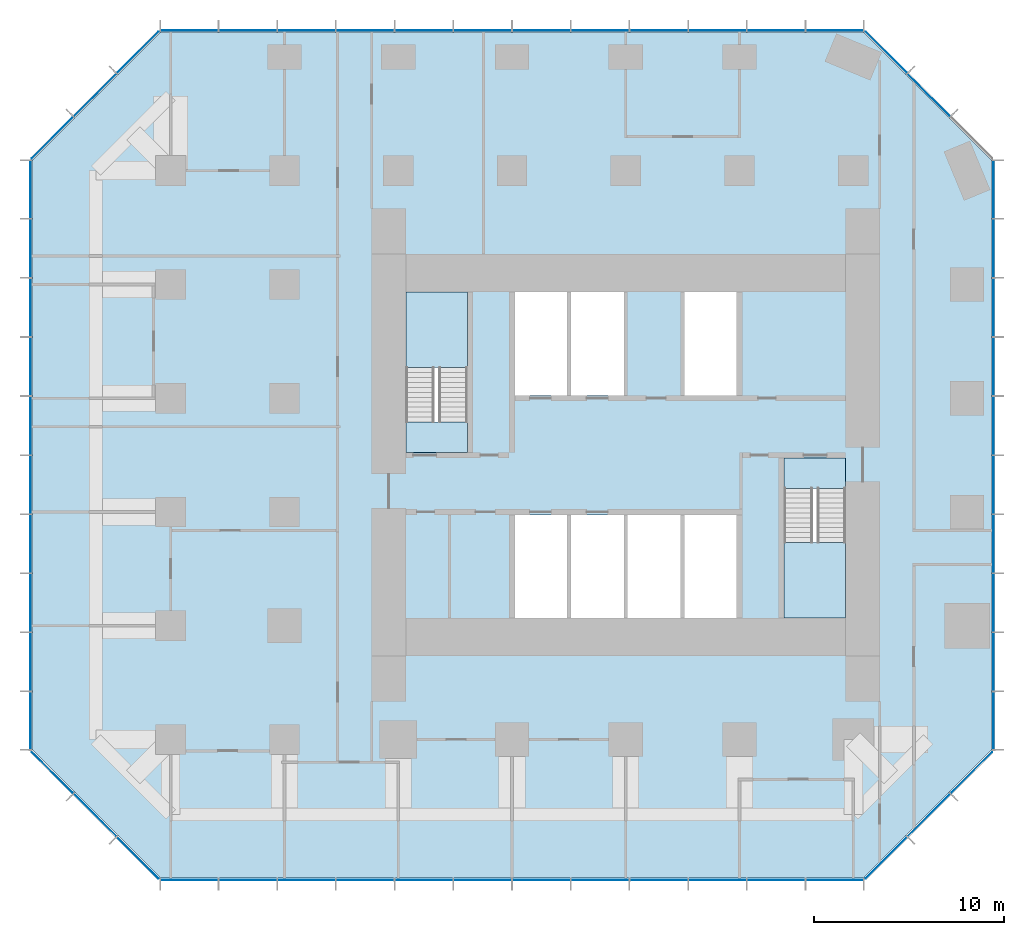
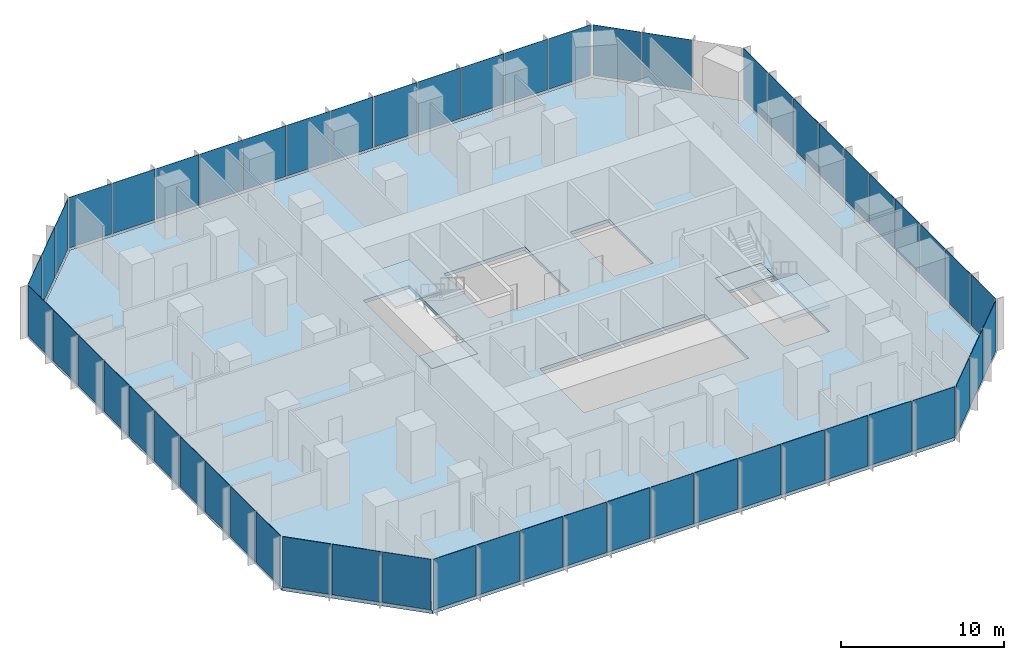
# One storey, part 7 of 11: 55 plates, 5 slabs, 10 elements without a shape of their own.
"""IFC4 building model written with IfcOpenShell, lengths in metres."""

from ifc_helpers import new_model, si_unit, direction, frame, origin, origin_2d, place, context, subcontext, project, spatial, polyline, rectangle, outline, extrude, material, layer, layer_set, type_object, element, aggregate, save


model = new_model("IFC4")

# Units and contexts
model_context = context("Model", 3, precision=1e-05, world=origin(), true_north=direction((0.0, 1.0)))
body_context = subcontext(model_context, "Body", "Model", "MODEL_VIEW")
ifc_project = project(units=[si_unit("LENGTHUNIT", "METRE"), si_unit("AREAUNIT", "SQUARE_METRE"), si_unit("VOLUMEUNIT", "CUBIC_METRE"), si_unit("PLANEANGLEUNIT", "RADIAN"), si_unit("MASSUNIT", "GRAM", prefix="KILO")], contexts=[model_context])

# Site, building, storey
site_placement = place(None, origin())
site = spatial("IfcSite", under=ifc_project, at=site_placement, CompositionType="ELEMENT")
building_placement = place(site_placement, origin())
building = spatial("IfcBuilding", under=site, at=building_placement, Name="Highveld Stack Headquarters", CompositionType="ELEMENT")
storey_placement = place(building_placement, frame((0.0, 0.0, 125.0)))
storey = spatial("IfcBuildingStorey", under=building, at=storey_placement, Name="L30", CompositionType="ELEMENT", Elevation=125.0)

# Curtain wall, plates
ifc_material_1 = material(Name="Aluminium bronze anodised", Category="aluminium")
ifc_layer_1 = layer(ifc_material_1, 0.199951171875)
ifc_layer_set_1 = layer_set([ifc_layer_1], Name="Aluminium bronze anodised")
curtain_wall_type_1 = type_object("IfcCurtainWallType", Name="CW1 TOWER UNITISED CURTAIN WALL", PredefinedType="NOTDEFINED", material=ifc_layer_set_1)
curtain_wall_1_placement = place(storey_placement, origin())
curtain_wall_1 = element("IfcCurtainWall", 1, at=curtain_wall_1_placement, inside=storey, type_object=curtain_wall_type_1, Name="Curtain wall CW1 L30 S", PredefinedType="NOTDEFINED")
ifc_material_2 = material(Name="Glass bronze tinted double glazed unit", Category="glass")
ifc_layer_2 = layer(ifc_material_2, 0.028076171875)
ifc_layer_set_2 = layer_set([ifc_layer_2], Name="Glass bronze tinted double glazed unit")
plate_type_1 = type_object("IfcPlateType", Name="CW1 PANEL BRONZE TINTED DOUBLE GLAZED UNIT", PredefinedType="CURTAIN_PANEL", material=ifc_layer_set_2)
plate_1_placement = place(storey_placement, frame((-17.015380859375, -19.39990234375, 0.10009765625), z_axis=(0.0, 0.0, 1.0), x_axis=(1.0, 0.0, 0.0)))
plate_1 = element("IfcPlate", 2, at=plate_1_placement, type_object=plate_type_1, Name="CW1 panel L30 1.1", PredefinedType="CURTAIN_PANEL", context=body_context, shape_type="SweptSolid", body=[
    extrude(rectangle(XDim=2.9990234375, YDim=0.028076171875, at=origin_2d()), origin(), (0.0, 0.0, 1.0), 3.800048828125),
])
plate_2_placement = place(storey_placement, frame((-13.934814453125, -19.39990234375, 0.10009765625), z_axis=(0.0, 0.0, 1.0), x_axis=(1.0, 0.0, 0.0)))
plate_2 = element("IfcPlate", 3, at=plate_2_placement, type_object=plate_type_1, Name="CW1 panel L30 2.1", PredefinedType="CURTAIN_PANEL", context=body_context, shape_type="SweptSolid", body=[
    extrude(rectangle(XDim=3.031494140625, YDim=0.028076171875, at=origin_2d()), origin(), (0.0, 0.0, 1.0), 3.800048828125),
])
plate_3_placement = place(storey_placement, frame((-10.83837890625, -19.39990234375, 0.10009765625), z_axis=(0.0, 0.0, 1.0), x_axis=(1.0, 0.0, 0.0)))
plate_3 = element("IfcPlate", 4, at=plate_3_placement, type_object=plate_type_1, Name="CW1 panel L30 3.1", PredefinedType="CURTAIN_PANEL", context=body_context, shape_type="SweptSolid", body=[
    extrude(rectangle(XDim=3.031494140625, YDim=0.028076171875, at=origin_2d()), origin(), (0.0, 0.0, 1.0), 3.800048828125),
])
plate_4_placement = place(storey_placement, frame((-7.74169921875, -19.39990234375, 0.10009765625), z_axis=(0.0, 0.0, 1.0), x_axis=(1.0, 0.0, 0.0)))
plate_4 = element("IfcPlate", 5, at=plate_4_placement, type_object=plate_type_1, Name="CW1 panel L30 4.1", PredefinedType="CURTAIN_PANEL", context=body_context, shape_type="SweptSolid", body=[
    extrude(rectangle(XDim=3.031494140625, YDim=0.028076171875, at=origin_2d()), origin(), (0.0, 0.0, 1.0), 3.800048828125),
])
plate_5_placement = place(storey_placement, frame((-4.64501953125, -19.39990234375, 0.10009765625), z_axis=(0.0, 0.0, 1.0), x_axis=(1.0, 0.0, 0.0)))
plate_5 = element("IfcPlate", 6, at=plate_5_placement, type_object=plate_type_1, Name="CW1 panel L30 5.1", PredefinedType="CURTAIN_PANEL", context=body_context, shape_type="SweptSolid", body=[
    extrude(rectangle(XDim=3.031494140625, YDim=0.028076171875, at=origin_2d()), origin(), (0.0, 0.0, 1.0), 3.800048828125),
])
plate_6_placement = place(storey_placement, frame((-1.54833984375, -19.39990234375, 0.10009765625), z_axis=(0.0, 0.0, 1.0), x_axis=(1.0, 0.0, 0.0)))
plate_6 = element("IfcPlate", 7, at=plate_6_placement, type_object=plate_type_1, Name="CW1 panel L30 6.1", PredefinedType="CURTAIN_PANEL", context=body_context, shape_type="SweptSolid", body=[
    extrude(rectangle(XDim=3.031494140625, YDim=0.028076171875, at=origin_2d()), origin(), (0.0, 0.0, 1.0), 3.800048828125),
])
plate_7_placement = place(storey_placement, frame((1.54833984375, -19.39990234375, 0.10009765625), z_axis=(0.0, 0.0, 1.0), x_axis=(1.0, 0.0, 0.0)))
plate_7 = element("IfcPlate", 8, at=plate_7_placement, type_object=plate_type_1, Name="CW1 panel L30 7.1", PredefinedType="CURTAIN_PANEL", context=body_context, shape_type="SweptSolid", body=[
    extrude(rectangle(XDim=3.03173828125, YDim=0.028076171875, at=origin_2d()), origin(), (0.0, 0.0, 1.0), 3.800048828125),
])
plate_8_placement = place(storey_placement, frame((4.64501953125, -19.39990234375, 0.10009765625), z_axis=(0.0, 0.0, 1.0), x_axis=(1.0, 0.0, 0.0)))
plate_8 = element("IfcPlate", 9, at=plate_8_placement, type_object=plate_type_1, Name="CW1 panel L30 8.1", PredefinedType="CURTAIN_PANEL", context=body_context, shape_type="SweptSolid", body=[
    extrude(rectangle(XDim=3.03173828125, YDim=0.028076171875, at=origin_2d()), origin(), (0.0, 0.0, 1.0), 3.800048828125),
])
plate_9_placement = place(storey_placement, frame((7.74169921875, -19.39990234375, 0.10009765625), z_axis=(0.0, 0.0, 1.0), x_axis=(1.0, 0.0, 0.0)))
plate_9 = element("IfcPlate", 10, at=plate_9_placement, type_object=plate_type_1, Name="CW1 panel L30 9.1", PredefinedType="CURTAIN_PANEL", context=body_context, shape_type="SweptSolid", body=[
    extrude(rectangle(XDim=3.03173828125, YDim=0.028076171875, at=origin_2d()), origin(), (0.0, 0.0, 1.0), 3.800048828125),
])
plate_10_placement = place(storey_placement, frame((10.83837890625, -19.39990234375, 0.10009765625), z_axis=(0.0, 0.0, 1.0), x_axis=(1.0, 0.0, 0.0)))
plate_10 = element("IfcPlate", 11, at=plate_10_placement, type_object=plate_type_1, Name="CW1 panel L30 10.1", PredefinedType="CURTAIN_PANEL", context=body_context, shape_type="SweptSolid", body=[
    extrude(rectangle(XDim=3.03173828125, YDim=0.028076171875, at=origin_2d()), origin(), (0.0, 0.0, 1.0), 3.800048828125),
])
plate_11_placement = place(storey_placement, frame((13.934814453125, -19.39990234375, 0.10009765625), z_axis=(0.0, 0.0, 1.0), x_axis=(1.0, 0.0, 0.0)))
plate_11 = element("IfcPlate", 12, at=plate_11_placement, type_object=plate_type_1, Name="CW1 panel L30 11.1", PredefinedType="CURTAIN_PANEL", context=body_context, shape_type="SweptSolid", body=[
    extrude(rectangle(XDim=3.03173828125, YDim=0.028076171875, at=origin_2d()), origin(), (0.0, 0.0, 1.0), 3.800048828125),
])
plate_12_placement = place(storey_placement, frame((17.015380859375, -19.39990234375, 0.10009765625), z_axis=(0.0, 0.0, 1.0), x_axis=(1.0, 0.0, 0.0)))
plate_12 = element("IfcPlate", 13, at=plate_12_placement, type_object=plate_type_1, Name="CW1 panel L30 12.1", PredefinedType="CURTAIN_PANEL", context=body_context, shape_type="SweptSolid", body=[
    extrude(rectangle(XDim=2.999267578125, YDim=0.028076171875, at=origin_2d()), origin(), (0.0, 0.0, 1.0), 3.800048828125),
])
aggregate(curtain_wall_1, [plate_1, plate_2, plate_3, plate_4, plate_5, plate_6, plate_7, plate_8, plate_9, plate_10, plate_11, plate_12])

curtain_wall_2_placement = place(storey_placement, origin())
curtain_wall_2 = element("IfcCurtainWall", 14, at=curtain_wall_2_placement, inside=storey, type_object=curtain_wall_type_1, Name="Curtain wall CW1 L30 E", PredefinedType="NOTDEFINED")
plate_13_placement = place(storey_placement, frame((25.39990234375, -11.005615234375, 0.10009765625), z_axis=(0.0, 0.0, 1.0), x_axis=(0.0, 1.0, 0.0)))
plate_13 = element("IfcPlate", 15, at=plate_13_placement, type_object=plate_type_1, Name="CW1 panel L30 1.1", PredefinedType="CURTAIN_PANEL", context=body_context, shape_type="SweptSolid", body=[
    extrude(rectangle(XDim=3.0185546875, YDim=0.028076171875, at=origin_2d()), origin(), (0.0, 0.0, 1.0), 3.800048828125),
])
plate_14_placement = place(storey_placement, frame((25.39990234375, -7.906005859375, 0.10009765625), z_axis=(0.0, 0.0, 1.0), x_axis=(0.0, 1.0, 0.0)))
plate_14 = element("IfcPlate", 16, at=plate_14_placement, type_object=plate_type_1, Name="CW1 panel L30 2.1", PredefinedType="CURTAIN_PANEL", context=body_context, shape_type="SweptSolid", body=[
    extrude(rectangle(XDim=3.051025390625, YDim=0.028076171875, at=origin_2d()), origin(), (0.0, 0.0, 1.0), 3.800048828125),
])
plate_15_placement = place(storey_placement, frame((25.39990234375, -4.7900390625, 0.10009765625), z_axis=(0.0, 0.0, 1.0), x_axis=(0.0, 1.0, 0.0)))
plate_15 = element("IfcPlate", 17, at=plate_15_placement, type_object=plate_type_1, Name="CW1 panel L30 3.1", PredefinedType="CURTAIN_PANEL", context=body_context, shape_type="SweptSolid", body=[
    extrude(rectangle(XDim=3.051025390625, YDim=0.028076171875, at=origin_2d()), origin(), (0.0, 0.0, 1.0), 3.800048828125),
])
plate_16_placement = place(storey_placement, frame((25.39990234375, -1.674072265625, 0.10009765625), z_axis=(0.0, 0.0, 1.0), x_axis=(0.0, 1.0, 0.0)))
plate_16 = element("IfcPlate", 18, at=plate_16_placement, type_object=plate_type_1, Name="CW1 panel L30 4.1", PredefinedType="CURTAIN_PANEL", context=body_context, shape_type="SweptSolid", body=[
    extrude(rectangle(XDim=3.051025390625, YDim=0.028076171875, at=origin_2d()), origin(), (0.0, 0.0, 1.0), 3.800048828125),
])
plate_17_placement = place(storey_placement, frame((25.39990234375, 1.44189453125, 0.10009765625), z_axis=(0.0, 0.0, 1.0), x_axis=(0.0, 1.0, 0.0)))
plate_17 = element("IfcPlate", 19, at=plate_17_placement, type_object=plate_type_1, Name="CW1 panel L30 5.1", PredefinedType="CURTAIN_PANEL", context=body_context, shape_type="SweptSolid", body=[
    extrude(rectangle(XDim=3.051025390625, YDim=0.028076171875, at=origin_2d()), origin(), (0.0, 0.0, 1.0), 3.800048828125),
])
plate_18_placement = place(storey_placement, frame((25.39990234375, 4.55810546875, 0.10009765625), z_axis=(0.0, 0.0, 1.0), x_axis=(0.0, 1.0, 0.0)))
plate_18 = element("IfcPlate", 20, at=plate_18_placement, type_object=plate_type_1, Name="CW1 panel L30 6.1", PredefinedType="CURTAIN_PANEL", context=body_context, shape_type="SweptSolid", body=[
    extrude(rectangle(XDim=3.051025390625, YDim=0.028076171875, at=origin_2d()), origin(), (0.0, 0.0, 1.0), 3.800048828125),
])
plate_19_placement = place(storey_placement, frame((25.39990234375, 7.674072265625, 0.10009765625), z_axis=(0.0, 0.0, 1.0), x_axis=(0.0, 1.0, 0.0)))
plate_19 = element("IfcPlate", 21, at=plate_19_placement, type_object=plate_type_1, Name="CW1 panel L30 7.1", PredefinedType="CURTAIN_PANEL", context=body_context, shape_type="SweptSolid", body=[
    extrude(rectangle(XDim=3.051025390625, YDim=0.028076171875, at=origin_2d()), origin(), (0.0, 0.0, 1.0), 3.800048828125),
])
plate_20_placement = place(storey_placement, frame((25.39990234375, 10.789794921875, 0.10009765625), z_axis=(0.0, 0.0, 1.0), x_axis=(0.0, 1.0, 0.0)))
plate_20 = element("IfcPlate", 22, at=plate_20_placement, type_object=plate_type_1, Name="CW1 panel L30 8.1", PredefinedType="CURTAIN_PANEL", context=body_context, shape_type="SweptSolid", body=[
    extrude(rectangle(XDim=3.051025390625, YDim=0.028076171875, at=origin_2d()), origin(), (0.0, 0.0, 1.0), 3.800048828125),
])
plate_21_placement = place(storey_placement, frame((25.39990234375, 13.906005859375, 0.10009765625), z_axis=(0.0, 0.0, 1.0), x_axis=(0.0, 1.0, 0.0)))
plate_21 = element("IfcPlate", 23, at=plate_21_placement, type_object=plate_type_1, Name="CW1 panel L30 9.1", PredefinedType="CURTAIN_PANEL", context=body_context, shape_type="SweptSolid", body=[
    extrude(rectangle(XDim=3.051025390625, YDim=0.028076171875, at=origin_2d()), origin(), (0.0, 0.0, 1.0), 3.800048828125),
])
plate_22_placement = place(storey_placement, frame((25.39990234375, 17.005615234375, 0.10009765625), z_axis=(0.0, 0.0, 1.0), x_axis=(0.0, 1.0, 0.0)))
plate_22 = element("IfcPlate", 24, at=plate_22_placement, type_object=plate_type_1, Name="CW1 panel L30 10.1", PredefinedType="CURTAIN_PANEL", context=body_context, shape_type="SweptSolid", body=[
    extrude(rectangle(XDim=3.0185546875, YDim=0.028076171875, at=origin_2d()), origin(), (0.0, 0.0, 1.0), 3.800048828125),
])
aggregate(curtain_wall_2, [plate_13, plate_14, plate_15, plate_16, plate_17, plate_18, plate_19, plate_20, plate_21, plate_22])

curtain_wall_3_placement = place(storey_placement, origin())
curtain_wall_3 = element("IfcCurtainWall", 25, at=curtain_wall_3_placement, inside=storey, type_object=curtain_wall_type_1, Name="Curtain wall CW1 L30 N", PredefinedType="NOTDEFINED")
plate_23_placement = place(storey_placement, frame((17.015380859375, 25.39990234375, 0.10009765625), z_axis=(0.0, 0.0, 1.0), x_axis=(-1.0, 0.0, 0.0)))
plate_23 = element("IfcPlate", 26, at=plate_23_placement, type_object=plate_type_1, Name="CW1 panel L30 1.1", PredefinedType="CURTAIN_PANEL", context=body_context, shape_type="SweptSolid", body=[
    extrude(rectangle(XDim=2.9990234375, YDim=0.028076171875, at=origin_2d()), origin(), (0.0, 0.0, 1.0), 3.800048828125),
])
plate_24_placement = place(storey_placement, frame((13.934814453125, 25.39990234375, 0.10009765625), z_axis=(0.0, 0.0, 1.0), x_axis=(-1.0, 0.0, 0.0)))
plate_24 = element("IfcPlate", 27, at=plate_24_placement, type_object=plate_type_1, Name="CW1 panel L30 2.1", PredefinedType="CURTAIN_PANEL", context=body_context, shape_type="SweptSolid", body=[
    extrude(rectangle(XDim=3.031494140625, YDim=0.028076171875, at=origin_2d()), origin(), (0.0, 0.0, 1.0), 3.800048828125),
])
plate_25_placement = place(storey_placement, frame((10.83837890625, 25.39990234375, 0.10009765625), z_axis=(0.0, 0.0, 1.0), x_axis=(-1.0, 0.0, 0.0)))
plate_25 = element("IfcPlate", 28, at=plate_25_placement, type_object=plate_type_1, Name="CW1 panel L30 3.1", PredefinedType="CURTAIN_PANEL", context=body_context, shape_type="SweptSolid", body=[
    extrude(rectangle(XDim=3.031494140625, YDim=0.028076171875, at=origin_2d()), origin(), (0.0, 0.0, 1.0), 3.800048828125),
])
plate_26_placement = place(storey_placement, frame((7.74169921875, 25.39990234375, 0.10009765625), z_axis=(0.0, 0.0, 1.0), x_axis=(-1.0, 0.0, 0.0)))
plate_26 = element("IfcPlate", 29, at=plate_26_placement, type_object=plate_type_1, Name="CW1 panel L30 4.1", PredefinedType="CURTAIN_PANEL", context=body_context, shape_type="SweptSolid", body=[
    extrude(rectangle(XDim=3.031494140625, YDim=0.028076171875, at=origin_2d()), origin(), (0.0, 0.0, 1.0), 3.800048828125),
])
plate_27_placement = place(storey_placement, frame((4.64501953125, 25.39990234375, 0.10009765625), z_axis=(0.0, 0.0, 1.0), x_axis=(-1.0, 0.0, 0.0)))
plate_27 = element("IfcPlate", 30, at=plate_27_placement, type_object=plate_type_1, Name="CW1 panel L30 5.1", PredefinedType="CURTAIN_PANEL", context=body_context, shape_type="SweptSolid", body=[
    extrude(rectangle(XDim=3.031494140625, YDim=0.028076171875, at=origin_2d()), origin(), (0.0, 0.0, 1.0), 3.800048828125),
])
plate_28_placement = place(storey_placement, frame((1.54833984375, 25.39990234375, 0.10009765625), z_axis=(0.0, 0.0, 1.0), x_axis=(-1.0, 0.0, 0.0)))
plate_28 = element("IfcPlate", 31, at=plate_28_placement, type_object=plate_type_1, Name="CW1 panel L30 6.1", PredefinedType="CURTAIN_PANEL", context=body_context, shape_type="SweptSolid", body=[
    extrude(rectangle(XDim=3.031494140625, YDim=0.028076171875, at=origin_2d()), origin(), (0.0, 0.0, 1.0), 3.800048828125),
])
plate_29_placement = place(storey_placement, frame((-1.54833984375, 25.39990234375, 0.10009765625), z_axis=(0.0, 0.0, 1.0), x_axis=(-1.0, 0.0, 0.0)))
plate_29 = element("IfcPlate", 32, at=plate_29_placement, type_object=plate_type_1, Name="CW1 panel L30 7.1", PredefinedType="CURTAIN_PANEL", context=body_context, shape_type="SweptSolid", body=[
    extrude(rectangle(XDim=3.03173828125, YDim=0.028076171875, at=origin_2d()), origin(), (0.0, 0.0, 1.0), 3.800048828125),
])
plate_30_placement = place(storey_placement, frame((-4.64501953125, 25.39990234375, 0.10009765625), z_axis=(0.0, 0.0, 1.0), x_axis=(-1.0, 0.0, 0.0)))
plate_30 = element("IfcPlate", 33, at=plate_30_placement, type_object=plate_type_1, Name="CW1 panel L30 8.1", PredefinedType="CURTAIN_PANEL", context=body_context, shape_type="SweptSolid", body=[
    extrude(rectangle(XDim=3.03173828125, YDim=0.028076171875, at=origin_2d()), origin(), (0.0, 0.0, 1.0), 3.800048828125),
])
plate_31_placement = place(storey_placement, frame((-7.74169921875, 25.39990234375, 0.10009765625), z_axis=(0.0, 0.0, 1.0), x_axis=(-1.0, 0.0, 0.0)))
plate_31 = element("IfcPlate", 34, at=plate_31_placement, type_object=plate_type_1, Name="CW1 panel L30 9.1", PredefinedType="CURTAIN_PANEL", context=body_context, shape_type="SweptSolid", body=[
    extrude(rectangle(XDim=3.03173828125, YDim=0.028076171875, at=origin_2d()), origin(), (0.0, 0.0, 1.0), 3.800048828125),
])
plate_32_placement = place(storey_placement, frame((-10.83837890625, 25.39990234375, 0.10009765625), z_axis=(0.0, 0.0, 1.0), x_axis=(-1.0, 0.0, 0.0)))
plate_32 = element("IfcPlate", 35, at=plate_32_placement, type_object=plate_type_1, Name="CW1 panel L30 10.1", PredefinedType="CURTAIN_PANEL", context=body_context, shape_type="SweptSolid", body=[
    extrude(rectangle(XDim=3.03173828125, YDim=0.028076171875, at=origin_2d()), origin(), (0.0, 0.0, 1.0), 3.800048828125),
])
plate_33_placement = place(storey_placement, frame((-13.934814453125, 25.39990234375, 0.10009765625), z_axis=(0.0, 0.0, 1.0), x_axis=(-1.0, 0.0, 0.0)))
plate_33 = element("IfcPlate", 36, at=plate_33_placement, type_object=plate_type_1, Name="CW1 panel L30 11.1", PredefinedType="CURTAIN_PANEL", context=body_context, shape_type="SweptSolid", body=[
    extrude(rectangle(XDim=3.03173828125, YDim=0.028076171875, at=origin_2d()), origin(), (0.0, 0.0, 1.0), 3.800048828125),
])
plate_34_placement = place(storey_placement, frame((-17.015380859375, 25.39990234375, 0.10009765625), z_axis=(0.0, 0.0, 1.0), x_axis=(-1.0, 0.0, 0.0)))
plate_34 = element("IfcPlate", 37, at=plate_34_placement, type_object=plate_type_1, Name="CW1 panel L30 12.1", PredefinedType="CURTAIN_PANEL", context=body_context, shape_type="SweptSolid", body=[
    extrude(rectangle(XDim=2.999267578125, YDim=0.028076171875, at=origin_2d()), origin(), (0.0, 0.0, 1.0), 3.800048828125),
])
aggregate(curtain_wall_3, [plate_23, plate_24, plate_25, plate_26, plate_27, plate_28, plate_29, plate_30, plate_31, plate_32, plate_33, plate_34])

curtain_wall_4_placement = place(storey_placement, origin())
curtain_wall_4 = element("IfcCurtainWall", 38, at=curtain_wall_4_placement, inside=storey, type_object=curtain_wall_type_1, Name="Curtain wall CW1 L30 W", PredefinedType="NOTDEFINED")
plate_35_placement = place(storey_placement, frame((-25.39990234375, 17.005615234375, 0.10009765625), z_axis=(0.0, 0.0, 1.0), x_axis=(0.0, -1.0, 0.0)))
plate_35 = element("IfcPlate", 39, at=plate_35_placement, type_object=plate_type_1, Name="CW1 panel L30 1.1", PredefinedType="CURTAIN_PANEL", context=body_context, shape_type="SweptSolid", body=[
    extrude(rectangle(XDim=3.0185546875, YDim=0.028076171875, at=origin_2d()), origin(), (0.0, 0.0, 1.0), 3.800048828125),
])
plate_36_placement = place(storey_placement, frame((-25.39990234375, 13.906005859375, 0.10009765625), z_axis=(0.0, 0.0, 1.0), x_axis=(0.0, -1.0, 0.0)))
plate_36 = element("IfcPlate", 40, at=plate_36_placement, type_object=plate_type_1, Name="CW1 panel L30 2.1", PredefinedType="CURTAIN_PANEL", context=body_context, shape_type="SweptSolid", body=[
    extrude(rectangle(XDim=3.051025390625, YDim=0.028076171875, at=origin_2d()), origin(), (0.0, 0.0, 1.0), 3.800048828125),
])
plate_37_placement = place(storey_placement, frame((-25.39990234375, 10.7900390625, 0.10009765625), z_axis=(0.0, 0.0, 1.0), x_axis=(0.0, -1.0, 0.0)))
plate_37 = element("IfcPlate", 41, at=plate_37_placement, type_object=plate_type_1, Name="CW1 panel L30 3.1", PredefinedType="CURTAIN_PANEL", context=body_context, shape_type="SweptSolid", body=[
    extrude(rectangle(XDim=3.051025390625, YDim=0.028076171875, at=origin_2d()), origin(), (0.0, 0.0, 1.0), 3.800048828125),
])
plate_38_placement = place(storey_placement, frame((-25.39990234375, 7.674072265625, 0.10009765625), z_axis=(0.0, 0.0, 1.0), x_axis=(0.0, -1.0, 0.0)))
plate_38 = element("IfcPlate", 42, at=plate_38_placement, type_object=plate_type_1, Name="CW1 panel L30 4.1", PredefinedType="CURTAIN_PANEL", context=body_context, shape_type="SweptSolid", body=[
    extrude(rectangle(XDim=3.051025390625, YDim=0.028076171875, at=origin_2d()), origin(), (0.0, 0.0, 1.0), 3.800048828125),
])
plate_39_placement = place(storey_placement, frame((-25.39990234375, 4.55810546875, 0.10009765625), z_axis=(0.0, 0.0, 1.0), x_axis=(0.0, -1.0, 0.0)))
plate_39 = element("IfcPlate", 43, at=plate_39_placement, type_object=plate_type_1, Name="CW1 panel L30 5.1", PredefinedType="CURTAIN_PANEL", context=body_context, shape_type="SweptSolid", body=[
    extrude(rectangle(XDim=3.051025390625, YDim=0.028076171875, at=origin_2d()), origin(), (0.0, 0.0, 1.0), 3.800048828125),
])
plate_40_placement = place(storey_placement, frame((-25.39990234375, 1.44189453125, 0.10009765625), z_axis=(0.0, 0.0, 1.0), x_axis=(0.0, -1.0, 0.0)))
plate_40 = element("IfcPlate", 44, at=plate_40_placement, type_object=plate_type_1, Name="CW1 panel L30 6.1", PredefinedType="CURTAIN_PANEL", context=body_context, shape_type="SweptSolid", body=[
    extrude(rectangle(XDim=3.051025390625, YDim=0.028076171875, at=origin_2d()), origin(), (0.0, 0.0, 1.0), 3.800048828125),
])
plate_41_placement = place(storey_placement, frame((-25.39990234375, -1.674072265625, 0.10009765625), z_axis=(0.0, 0.0, 1.0), x_axis=(0.0, -1.0, 0.0)))
plate_41 = element("IfcPlate", 45, at=plate_41_placement, type_object=plate_type_1, Name="CW1 panel L30 7.1", PredefinedType="CURTAIN_PANEL", context=body_context, shape_type="SweptSolid", body=[
    extrude(rectangle(XDim=3.051025390625, YDim=0.028076171875, at=origin_2d()), origin(), (0.0, 0.0, 1.0), 3.800048828125),
])
plate_42_placement = place(storey_placement, frame((-25.39990234375, -4.789794921875, 0.10009765625), z_axis=(0.0, 0.0, 1.0), x_axis=(0.0, -1.0, 0.0)))
plate_42 = element("IfcPlate", 46, at=plate_42_placement, type_object=plate_type_1, Name="CW1 panel L30 8.1", PredefinedType="CURTAIN_PANEL", context=body_context, shape_type="SweptSolid", body=[
    extrude(rectangle(XDim=3.051025390625, YDim=0.028076171875, at=origin_2d()), origin(), (0.0, 0.0, 1.0), 3.800048828125),
])
plate_43_placement = place(storey_placement, frame((-25.39990234375, -7.906005859375, 0.10009765625), z_axis=(0.0, 0.0, 1.0), x_axis=(0.0, -1.0, 0.0)))
plate_43 = element("IfcPlate", 47, at=plate_43_placement, type_object=plate_type_1, Name="CW1 panel L30 9.1", PredefinedType="CURTAIN_PANEL", context=body_context, shape_type="SweptSolid", body=[
    extrude(rectangle(XDim=3.051025390625, YDim=0.028076171875, at=origin_2d()), origin(), (0.0, 0.0, 1.0), 3.800048828125),
])
plate_44_placement = place(storey_placement, frame((-25.39990234375, -11.005615234375, 0.10009765625), z_axis=(0.0, 0.0, 1.0), x_axis=(0.0, -1.0, 0.0)))
plate_44 = element("IfcPlate", 48, at=plate_44_placement, type_object=plate_type_1, Name="CW1 panel L30 10.1", PredefinedType="CURTAIN_PANEL", context=body_context, shape_type="SweptSolid", body=[
    extrude(rectangle(XDim=3.0185546875, YDim=0.028076171875, at=origin_2d()), origin(), (0.0, 0.0, 1.0), 3.800048828125),
])
aggregate(curtain_wall_4, [plate_35, plate_36, plate_37, plate_38, plate_39, plate_40, plate_41, plate_42, plate_43, plate_44])

ifc_material_3 = material(Name="Aluminium bronze anodised", Category="aluminium")
ifc_layer_3 = layer(ifc_material_3, 0.199951171875)
ifc_layer_set_3 = layer_set([ifc_layer_3], Name="Aluminium bronze anodised")
curtain_wall_type_2 = type_object("IfcCurtainWallType", Name="CW2 TOWER CHAMFER UNITISED CURTAIN WALL", PredefinedType="NOTDEFINED", material=ifc_layer_set_3)
curtain_wall_5_placement = place(storey_placement, origin())
curtain_wall_5 = element("IfcCurtainWall", 49, at=curtain_wall_5_placement, inside=storey, type_object=curtain_wall_type_2, Name="Curtain wall CW2 L30 SE", PredefinedType="NOTDEFINED")
ifc_material_4 = material(Name="Glass bronze tinted double glazed unit", Category="glass")
ifc_layer_4 = layer(ifc_material_4, 0.028076171875)
ifc_layer_set_4 = layer_set([ifc_layer_4], Name="Glass bronze tinted double glazed unit")
plate_type_2 = type_object("IfcPlateType", Name="CW2 PANEL BRONZE TINTED DOUBLE GLAZED UNIT", PredefinedType="CURTAIN_PANEL", material=ifc_layer_set_4)
plate_45_placement = place(storey_placement, frame((19.740478515625, -18.239501953125, 0.10009765625), z_axis=(0.0, 0.0, 1.0), x_axis=(0.707106781187, 0.707106781187, 0.0)))
plate_45 = element("IfcPlate", 50, at=plate_45_placement, type_object=plate_type_2, Name="CW2 panel L30 1.1", PredefinedType="CURTAIN_PANEL", context=body_context, shape_type="SweptSolid", body=[
    extrude(rectangle(XDim=3.08251953125, YDim=0.028076171875, at=origin_2d()), origin(), (0.0, 0.0, 1.0), 3.800048828125),
])
plate_46_placement = place(storey_placement, frame((21.989990234375, -15.989990234375, 0.10009765625), z_axis=(0.0, 0.0, 1.0), x_axis=(0.707106781187, 0.707106781187, 0.0)))
plate_46 = element("IfcPlate", 51, at=plate_46_placement, type_object=plate_type_2, Name="CW2 panel L30 2.1", PredefinedType="CURTAIN_PANEL", context=body_context, shape_type="SweptSolid", body=[
    extrude(rectangle(XDim=3.14990234375, YDim=0.028076171875, at=origin_2d()), origin(), (0.0, 0.0, 1.0), 3.800048828125),
])
plate_47_placement = place(storey_placement, frame((24.239501953125, -13.740478515625, 0.10009765625), z_axis=(0.0, 0.0, 1.0), x_axis=(0.707106781187, 0.707106781187, 0.0)))
plate_47 = element("IfcPlate", 52, at=plate_47_placement, type_object=plate_type_2, Name="CW2 panel L30 3.1", PredefinedType="CURTAIN_PANEL", context=body_context, shape_type="SweptSolid", body=[
    extrude(rectangle(XDim=3.08251953125, YDim=0.028076171875, at=origin_2d()), origin(), (0.0, 0.0, 1.0), 3.800048828125),
])
aggregate(curtain_wall_5, [plate_45, plate_46, plate_47])

curtain_wall_6_placement = place(storey_placement, origin())
curtain_wall_6 = element("IfcCurtainWall", 53, at=curtain_wall_6_placement, inside=storey, type_object=curtain_wall_type_2, Name="Curtain wall CW2 L30 NE", PredefinedType="NOTDEFINED")
plate_48_placement = place(storey_placement, frame((21.989990234375, 21.989990234375, 0.10009765625), z_axis=(0.0, 0.0, 1.0), x_axis=(-0.707106781187, 0.707106781187, 0.0)))
plate_48 = element("IfcPlate", 54, at=plate_48_placement, type_object=plate_type_2, Name="CW2 panel L30 2.1", PredefinedType="CURTAIN_PANEL", context=body_context, shape_type="SweptSolid", body=[
    extrude(rectangle(XDim=3.14990234375, YDim=0.028076171875, at=origin_2d()), origin(), (0.0, 0.0, 1.0), 3.800048828125),
])
plate_49_placement = place(storey_placement, frame((19.740478515625, 24.239501953125, 0.10009765625), z_axis=(0.0, 0.0, 1.0), x_axis=(-0.707106781187, 0.707106781187, 0.0)))
plate_49 = element("IfcPlate", 55, at=plate_49_placement, type_object=plate_type_2, Name="CW2 panel L30 3.1", PredefinedType="CURTAIN_PANEL", context=body_context, shape_type="SweptSolid", body=[
    extrude(rectangle(XDim=3.08251953125, YDim=0.028076171875, at=origin_2d()), origin(), (0.0, 0.0, 1.0), 3.800048828125),
])
aggregate(curtain_wall_6, [plate_48, plate_49])

curtain_wall_7_placement = place(storey_placement, origin())
curtain_wall_7 = element("IfcCurtainWall", 56, at=curtain_wall_7_placement, inside=storey, type_object=curtain_wall_type_2, Name="Curtain wall CW2 L30 NW", PredefinedType="NOTDEFINED")
plate_50_placement = place(storey_placement, frame((-19.740478515625, 24.239501953125, 0.10009765625), z_axis=(0.0, 0.0, 1.0), x_axis=(-0.707106781187, -0.707106781187, 0.0)))
plate_50 = element("IfcPlate", 57, at=plate_50_placement, type_object=plate_type_2, Name="CW2 panel L30 1.1", PredefinedType="CURTAIN_PANEL", context=body_context, shape_type="SweptSolid", body=[
    extrude(rectangle(XDim=3.08251953125, YDim=0.028076171875, at=origin_2d()), origin(), (0.0, 0.0, 1.0), 3.800048828125),
])
plate_51_placement = place(storey_placement, frame((-21.989990234375, 21.989990234375, 0.10009765625), z_axis=(0.0, 0.0, 1.0), x_axis=(-0.707106781187, -0.707106781187, 0.0)))
plate_51 = element("IfcPlate", 58, at=plate_51_placement, type_object=plate_type_2, Name="CW2 panel L30 2.1", PredefinedType="CURTAIN_PANEL", context=body_context, shape_type="SweptSolid", body=[
    extrude(rectangle(XDim=3.14990234375, YDim=0.028076171875, at=origin_2d()), origin(), (0.0, 0.0, 1.0), 3.800048828125),
])
plate_52_placement = place(storey_placement, frame((-24.239501953125, 19.740478515625, 0.10009765625), z_axis=(0.0, 0.0, 1.0), x_axis=(-0.707106781187, -0.707106781187, 0.0)))
plate_52 = element("IfcPlate", 59, at=plate_52_placement, type_object=plate_type_2, Name="CW2 panel L30 3.1", PredefinedType="CURTAIN_PANEL", context=body_context, shape_type="SweptSolid", body=[
    extrude(rectangle(XDim=3.08251953125, YDim=0.028076171875, at=origin_2d()), origin(), (0.0, 0.0, 1.0), 3.800048828125),
])
aggregate(curtain_wall_7, [plate_50, plate_51, plate_52])

curtain_wall_8_placement = place(storey_placement, origin())
curtain_wall_8 = element("IfcCurtainWall", 60, at=curtain_wall_8_placement, inside=storey, type_object=curtain_wall_type_2, Name="Curtain wall CW2 L30 SW", PredefinedType="NOTDEFINED")
plate_53_placement = place(storey_placement, frame((-24.239501953125, -13.740478515625, 0.10009765625), z_axis=(0.0, 0.0, 1.0), x_axis=(0.707106781187, -0.707106781187, 0.0)))
plate_53 = element("IfcPlate", 61, at=plate_53_placement, type_object=plate_type_2, Name="CW2 panel L30 1.1", PredefinedType="CURTAIN_PANEL", context=body_context, shape_type="SweptSolid", body=[
    extrude(rectangle(XDim=3.08251953125, YDim=0.028076171875, at=origin_2d()), origin(), (0.0, 0.0, 1.0), 3.800048828125),
])
plate_54_placement = place(storey_placement, frame((-21.989990234375, -15.989990234375, 0.10009765625), z_axis=(0.0, 0.0, 1.0), x_axis=(0.707106781187, -0.707106781187, 0.0)))
plate_54 = element("IfcPlate", 62, at=plate_54_placement, type_object=plate_type_2, Name="CW2 panel L30 2.1", PredefinedType="CURTAIN_PANEL", context=body_context, shape_type="SweptSolid", body=[
    extrude(rectangle(XDim=3.14990234375, YDim=0.028076171875, at=origin_2d()), origin(), (0.0, 0.0, 1.0), 3.800048828125),
])
plate_55_placement = place(storey_placement, frame((-19.740478515625, -18.239501953125, 0.10009765625), z_axis=(0.0, 0.0, 1.0), x_axis=(0.707106781187, -0.707106781187, 0.0)))
plate_55 = element("IfcPlate", 63, at=plate_55_placement, type_object=plate_type_2, Name="CW2 panel L30 3.1", PredefinedType="CURTAIN_PANEL", context=body_context, shape_type="SweptSolid", body=[
    extrude(rectangle(XDim=3.08251953125, YDim=0.028076171875, at=origin_2d()), origin(), (0.0, 0.0, 1.0), 3.800048828125),
])
aggregate(curtain_wall_8, [plate_53, plate_54, plate_55])

# Slab
ifc_material_5 = material(Name="Concrete C60/75", Category="concrete")
ifc_layer_5 = layer(ifc_material_5, 0.25)
ifc_layer_set_5 = layer_set([ifc_layer_5], Name="Concrete C60/75")
slab_type_1 = type_object("IfcSlabType", Name="PT FLAT SLAB 250", PredefinedType="FLOOR", material=ifc_layer_set_5)
slab_1_placement = place(storey_placement, frame((0.0, 0.0, -0.25)))
element("IfcSlab", 64, at=slab_1_placement, inside=storey, type_object=slab_type_1, Name="Floor slab L30", PredefinedType="FLOOR", context=body_context, shape_type="SweptSolid", body=[
    extrude(outline(polyline([(-18.53857421875, -19.300048828125), (18.53857421875, -19.300048828125), (25.300048828125, -12.53857421875), (25.300048828125, 18.53857421875), (18.53857421875, 25.300048828125), (-18.53857421875, 25.300048828125), (-25.300048828125, 18.53857421875), (-25.300048828125, -12.53857421875), (-18.53857421875, -19.300048828125)]), holes=[polyline([(0.14990234375, 6.14990234375), (5.89990234375, 6.14990234375), (5.89990234375, 11.60009765625), (0.14990234375, 11.60009765625), (0.14990234375, 6.14990234375)]), polyline([(9.10009765625, 6.14990234375), (11.85009765625, 6.14990234375), (11.85009765625, 11.60009765625), (9.10009765625, 11.60009765625), (9.10009765625, 6.14990234375)]), polyline([(0.14990234375, -5.60009765625), (11.85009765625, -5.60009765625), (11.85009765625, -0.14990234375), (0.14990234375, -0.14990234375), (0.14990234375, -5.60009765625)]), polyline([(-5.60009765625, 3.14990234375), (-2.35009765625, 3.14990234375), (-2.35009765625, 11.60009765625), (-5.60009765625, 11.60009765625), (-5.60009765625, 3.14990234375)]), polyline([(14.35009765625, -5.60009765625), (17.60009765625, -5.60009765625), (17.60009765625, 2.85009765625), (14.35009765625, 2.85009765625), (14.35009765625, -5.60009765625)])]), origin(), (0.0, 0.0, 1.0), 0.25),
])

# Stair, slabs
ifc_material_6 = material(Name="Concrete C40/50, precast", Category="concrete")
stair_type_1 = type_object("IfcStairType", Name="STAIR S1 HALF TURN 1500", PredefinedType="HALF_TURN_STAIR", material=ifc_material_6)
stair_1_placement = place(storey_placement, origin())
stair_1 = element("IfcStair", 65, at=stair_1_placement, inside=storey, type_object=stair_type_1, Name="Stair S1 L30", PredefinedType="HALF_TURN_STAIR")
ifc_material_7 = material(Name="Concrete C40/50, precast", Category="concrete")
ifc_layer_6 = layer(ifc_material_7, 0.199951171875)
ifc_layer_set_6 = layer_set([ifc_layer_6], Name="Concrete C40/50, precast")
slab_type_2 = type_object("IfcSlabType", Name="STAIR LANDING 200", PredefinedType="LANDING", material=ifc_layer_set_6)
slab_2_placement = place(storey_placement, frame((0.0, 0.0, 1.75)))
slab_2 = element("IfcSlab", 66, at=slab_2_placement, type_object=slab_type_2, Name="S1 landing 1", PredefinedType="LANDING", context=body_context, shape_type="SweptSolid", body=[
    extrude(outline(polyline([(-5.60009765625, 7.610107421875), (-2.35009765625, 7.610107421875), (-2.35009765625, 11.60009765625), (-5.60009765625, 11.60009765625), (-5.60009765625, 7.610107421875)])), origin(), (0.0, 0.0, 1.0), 0.199951171875),
])
slab_3_placement = place(storey_placement, frame((0.0, 0.0, -0.199951171875)))
slab_3 = element("IfcSlab", 67, at=slab_3_placement, type_object=slab_type_2, Name="S1 landing 2", PredefinedType="LANDING", context=body_context, shape_type="SweptSolid", body=[
    extrude(outline(polyline([(-5.60009765625, 3.14990234375), (-2.35009765625, 3.14990234375), (-2.35009765625, 4.75), (-5.60009765625, 4.75), (-5.60009765625, 3.14990234375)])), origin(), (0.0, 0.0, 1.0), 0.199951171875),
])
aggregate(stair_1, [slab_2, slab_3])

ifc_material_8 = material(Name="Concrete C40/50, precast", Category="concrete")
stair_type_2 = type_object("IfcStairType", Name="STAIR S2 HALF TURN 1500", PredefinedType="HALF_TURN_STAIR", material=ifc_material_8)
stair_2_placement = place(storey_placement, origin())
stair_2 = element("IfcStair", 68, at=stair_2_placement, inside=storey, type_object=stair_type_2, Name="Stair S2 L30", PredefinedType="HALF_TURN_STAIR")
slab_4_placement = place(storey_placement, frame((0.0, 0.0, 1.75)))
slab_4 = element("IfcSlab", 69, at=slab_4_placement, type_object=slab_type_2, Name="S2 landing 1", PredefinedType="LANDING", context=body_context, shape_type="SweptSolid", body=[
    extrude(outline(polyline([(14.35009765625, -5.60009765625), (17.60009765625, -5.60009765625), (17.60009765625, -1.610107421875), (14.35009765625, -1.610107421875), (14.35009765625, -5.60009765625)])), origin(), (0.0, 0.0, 1.0), 0.199951171875),
])
slab_5_placement = place(storey_placement, frame((0.0, 0.0, -0.199951171875)))
slab_5 = element("IfcSlab", 70, at=slab_5_placement, type_object=slab_type_2, Name="S2 landing 2", PredefinedType="LANDING", context=body_context, shape_type="SweptSolid", body=[
    extrude(outline(polyline([(14.35009765625, 1.25), (17.60009765625, 1.25), (17.60009765625, 2.85009765625), (14.35009765625, 2.85009765625), (14.35009765625, 1.25)])), origin(), (0.0, 0.0, 1.0), 0.199951171875),
])
aggregate(stair_2, [slab_4, slab_5])

save(model, "model.ifc")
